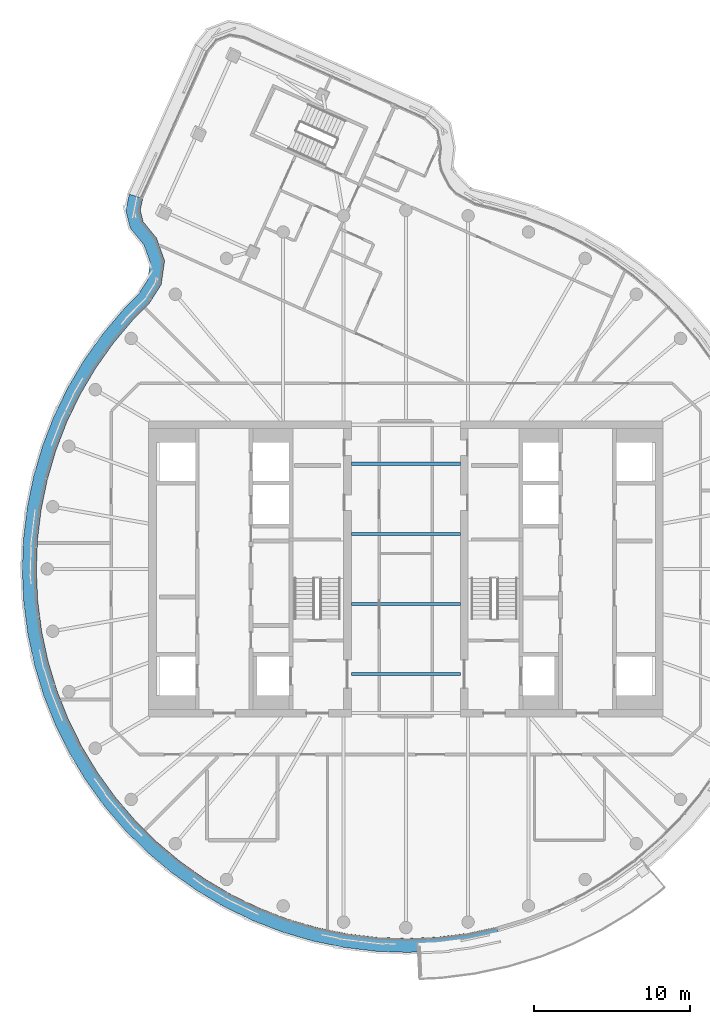
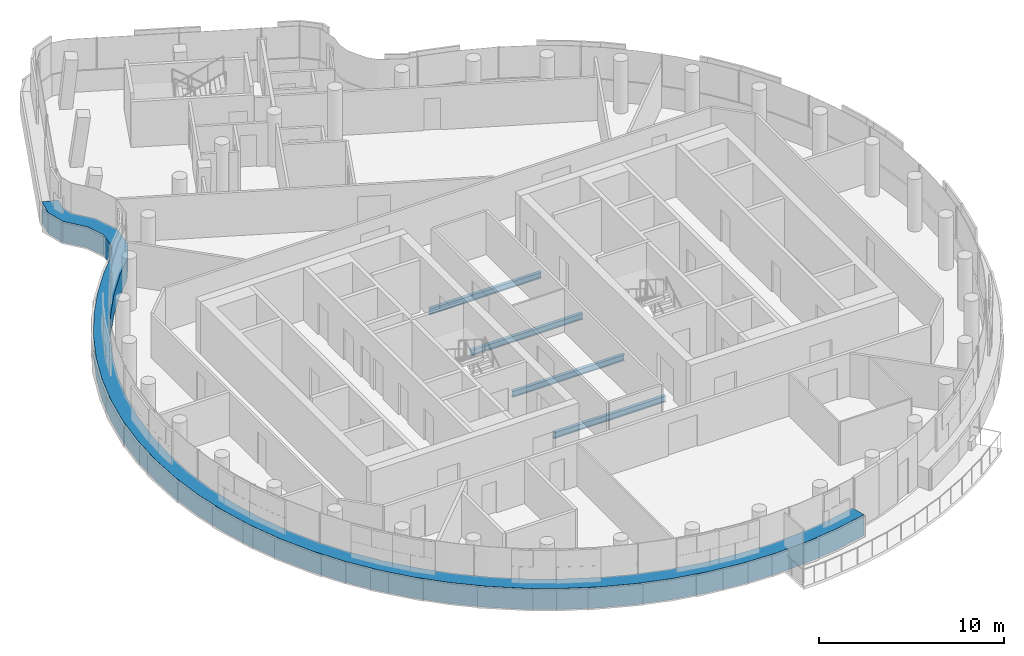
# One storey, part 5 of 21: 4 beams, 1 member, 1 element without a shape of its own.
"""IFC4 building model written with IfcOpenShell, lengths in metres."""

from ifc_helpers import new_model, si_unit, direction, frame, origin, origin_2d, place, context, subcontext, project, spatial, polyline, i_section, outline, extrude, material, layer, layer_set, material_profile, profile_set, type_object, element, aggregate, save


model = new_model("IFC4")

# Units and contexts
model_context = context("Model", 3, precision=1e-05, world=origin(), true_north=direction((0.0, 1.0)))
body_context = subcontext(model_context, "Body", "Model", "MODEL_VIEW")
ifc_project = project(units=[si_unit("LENGTHUNIT", "METRE"), si_unit("AREAUNIT", "SQUARE_METRE"), si_unit("VOLUMEUNIT", "CUBIC_METRE"), si_unit("PLANEANGLEUNIT", "RADIAN"), si_unit("MASSUNIT", "GRAM", prefix="KILO")], contexts=[model_context])

# Site, building, storey
site_placement = place(None, origin())
site = spatial("IfcSite", under=ifc_project, at=site_placement, CompositionType="ELEMENT")
building_placement = place(site_placement, origin())
building = spatial("IfcBuilding", under=site, at=building_placement, Name="Tamarind Cross Interchange Tower", CompositionType="ELEMENT")
storey_placement = place(building_placement, frame((0.0, 0.0, 271.199951171875)))
storey = spatial("IfcBuildingStorey", under=building, at=storey_placement, Name="L69", CompositionType="ELEMENT", Elevation=271.199951171875)

# Beams
ifc_material_1 = material(Name="Steel Q355B", Category="steel")
ifc_material_profile = material_profile(ifc_material_1, i_section(OverallWidth=0.199951171875, OverallDepth=0.39990234375, WebThickness=0.008056640625, FlangeThickness=0.012939453125, FilletRadius=0.01611328125, at=origin_2d()), Name="HN 400x200x8x13")
ifc_profile_set = profile_set([ifc_material_profile], Name="Steel Q355B")
beam_type = type_object("IfcBeamType", Name="Composite beam HN 400x200x8x13 Q355B", PredefinedType="BEAM", material=ifc_profile_set)
for number, where, z_axis, x_axis, name in (
    (1, (-3.5, -2.25, -0.33984375), (1.0, 0.0, 0.0), (0.0, 1.0, 0.0), "Beam G-2.25"),
    (2, (-3.5, -6.75, -0.33984375), (1.0, 0.0, 0.0), (0.0, 1.0, 0.0), "Beam G-6.75"),
    (3, (-3.5, 2.25, -0.33984375), (1.0, 0.0, 0.0), (0.0, 1.0, 0.0), "Beam G2.25"),
    (4, (-3.5, 6.75, -0.33984375), (1.0, 0.0, 0.0), (0.0, 1.0, 0.0), "Beam G6.75"),
):
    element("IfcBeam", number, at=place(storey_placement, frame(where, z_axis=z_axis, x_axis=x_axis)), inside=storey, type_object=beam_type, Name=name, PredefinedType="BEAM", context=body_context, shape_type="SweptSolid", body=[
        extrude(i_section(OverallWidth=0.199951171875, OverallDepth=0.39990234375, WebThickness=0.008056640625, FlangeThickness=0.012939453125, FilletRadius=0.01611328125, at=origin_2d()), origin(), (0.0, 0.0, 1.0), 7.0),
    ])

# Curtain wall, member
ifc_material_2 = material(Name="Aluminium 6063-T6", Category="aluminium")
ifc_layer = layer(ifc_material_2, 0.139892578125)
ifc_layer_set = layer_set([ifc_layer], Name="Aluminium 6063-T6")
curtain_wall_type = type_object("IfcCurtainWallType", Name="Hotel curtain wall, 4.5 m bays", PredefinedType="NOTDEFINED", material=ifc_layer_set)
curtain_wall_placement = place(storey_placement, origin())
curtain_wall = element("IfcCurtainWall", 5, at=curtain_wall_placement, inside=storey, type_object=curtain_wall_type, Name="CWS-L69-01", PredefinedType="NOTDEFINED")
ifc_material_3 = material(Name="Aluminium and insulated spandrel panel", Category="aluminium")
member_type = type_object("IfcMemberType", Name="Floor-edge blade transom", PredefinedType="USERDEFINED", material=ifc_material_3)
member_placement = place(storey_placement, origin())
member = element("IfcMember", 6, at=member_placement, type_object=member_type, Name="CWT-L69-01-0", ObjectType="TRANSOM", PredefinedType="USERDEFINED", context=body_context, shape_type="SweptSolid", body=[
    extrude(outline(polyline([(-16.875244140625, 23.762939453125), (-17.030029296875, 23.000732421875), (-16.8515625, 22.278564453125), (-15.9892578125, 21.22021484375), (-15.47119140625, 19.771240234375), (-15.687744140625, 18.234375), (-16.44287109375, 17.04541015625), (-17.502197265625, 15.9736328125), (-18.76171875, 14.4736328125), (-19.892822265625, 12.874755859375), (-20.88818359375, 11.188232421875), (-21.74072265625, 9.425048828125), (-22.444580078125, 7.597412109375), (-22.995361328125, 5.718017578125), (-23.38916015625, 3.799560546875), (-23.623046875, 1.855224609375), (-23.695556640625, -0.10205078125), (-23.606201171875, -2.058349609375), (-23.35546875, -4.000732421875), (-22.9453125, -5.915771484375), (-22.37841796875, -7.790283203125), (-21.65869140625, -9.61181640625), (-20.791015625, -11.367431640625), (-19.78125, -13.045654296875), (-18.636474609375, -14.634521484375), (-17.3642578125, -16.12353515625), (-15.973388671875, -17.50244140625), (-14.4736328125, -18.76171875), (-12.874755859375, -19.892822265625), (-11.188232421875, -20.88818359375), (-9.425048828125, -21.74072265625), (-7.597412109375, -22.444580078125), (-5.718017578125, -22.995361328125), (-3.799560546875, -23.38916015625), (-1.855224609375, -23.623046875), (0.10205078125, -23.695556640625), (2.058349609375, -23.606201171875), (4.000732421875, -23.35546875), (5.84375, -22.960693359375), (6.06591796875, -23.83349609375), (4.15283203125, -24.243408203125), (2.13671875, -24.50341796875), (0.10595703125, -24.59619140625), (-1.925537109375, -24.52099609375), (-3.944091796875, -24.2783203125), (-5.935302734375, -23.86962890625), (-7.88623046875, -23.2978515625), (-9.783203125, -22.567138671875), (-11.613525390625, -21.68212890625), (-13.3642578125, -20.64892578125), (-15.023681640625, -19.474853515625), (-16.580810546875, -18.167724609375), (-18.0244140625, -16.736572265625), (-19.344970703125, -15.19091796875), (-20.533203125, -13.54150390625), (-21.581298828125, -11.799560546875), (-22.482177734375, -9.97705078125), (-23.229248046875, -8.08642578125), (-23.817626953125, -6.140625), (-24.243408203125, -4.15283203125), (-24.50341796875, -2.13671875), (-24.59619140625, -0.10595703125), (-24.52099609375, 1.925537109375), (-24.2783203125, 3.944091796875), (-23.86962890625, 5.935302734375), (-23.2978515625, 7.88623046875), (-22.567138671875, 9.783203125), (-21.68212890625, 11.613525390625), (-20.64892578125, 13.3642578125), (-19.474853515625, 15.023681640625), (-18.16796875, 16.580322265625), (-17.150634765625, 17.609375), (-16.5517578125, 18.552734375), (-16.393310546875, 19.67724609375), (-16.78466796875, 20.771484375), (-17.6767578125, 21.86669921875), (-17.952392578125, 22.9814453125), (-17.7373046875, 24.040283203125), (-16.875244140625, 23.762939453125)])), origin(), (0.0, 0.0, 1.0), 1.400146484375),
])
aggregate(curtain_wall, [member])

save(model, "model.ifc")
